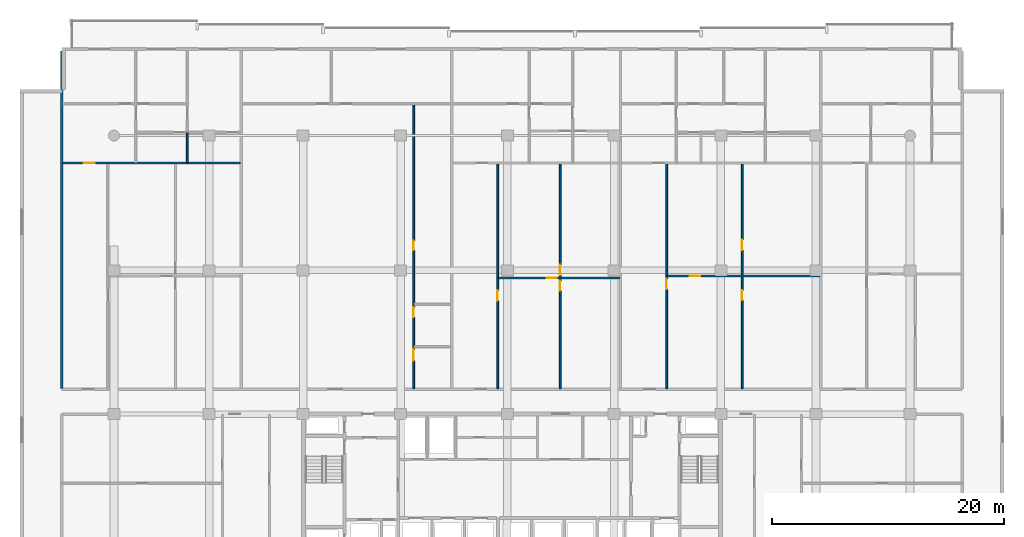
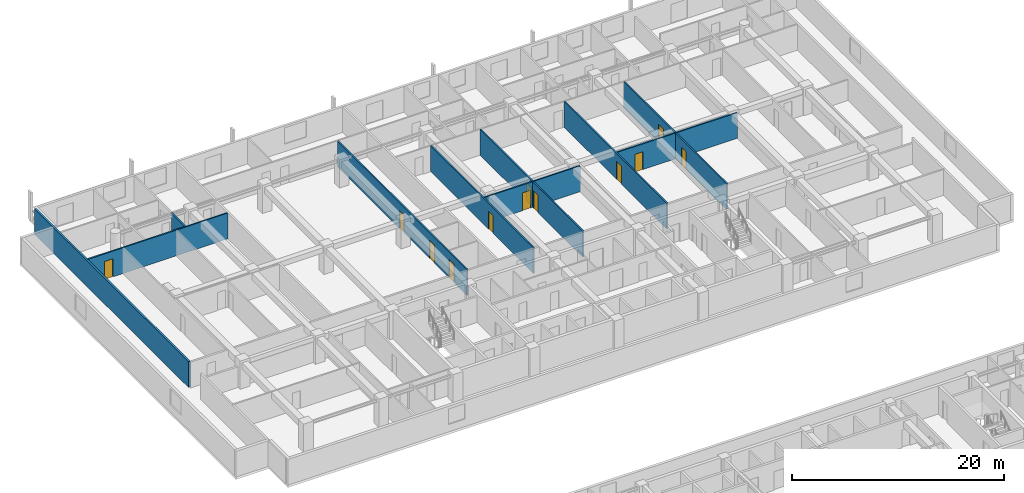
# One storey, part 14 of 24: 12 doors, 10 walls, 12 openings.
"""IFC4 building model written with IfcOpenShell, lengths in metres."""

from ifc_helpers import new_model, si_unit, direction, frame, frame_2d, origin, place, context, subcontext, project, spatial, rectangle, extrude, material, layer, layer_set, type_object, element, fill, save


model = new_model("IFC4")

# Units and contexts
model_context = context("Model", 3, precision=1e-05, world=origin(), true_north=direction((0.0, 1.0)))
body_context = subcontext(model_context, "Body", "Model", "MODEL_VIEW")
ifc_project = project(units=[si_unit("LENGTHUNIT", "METRE"), si_unit("AREAUNIT", "SQUARE_METRE"), si_unit("VOLUMEUNIT", "CUBIC_METRE"), si_unit("PLANEANGLEUNIT", "RADIAN"), si_unit("MASSUNIT", "GRAM", prefix="KILO")], contexts=[model_context])

# Site, building, storey
site_placement = place(None, origin())
site = spatial("IfcSite", under=ifc_project, at=site_placement, CompositionType="ELEMENT")
building_placement = place(site_placement, origin())
building = spatial("IfcBuilding", under=site, at=building_placement, Name="Korimba Cascade Residences", CompositionType="ELEMENT")
storey_placement = place(building_placement, frame((0.0, 0.0, 43.5)))
storey = spatial("IfcBuildingStorey", under=building, at=storey_placement, Name="L11", CompositionType="ELEMENT", Elevation=43.5)

# Walls
ifc_material_1 = material(Name="Precast concrete C40/50", Category="concrete")
ifc_layer_1 = layer(ifc_material_1, 0.199951171875)
ifc_layer_set_1 = layer_set([ifc_layer_1], Name="Precast concrete C40/50")
wall_type_1 = type_object("IfcWallType", Name="WAL-IT-200", PredefinedType="PARTITIONING", material=ifc_layer_set_1)
wall_1_placement = place(storey_placement, frame((55.300048828125, 69.429931640625, 0.0), z_axis=(0.0, 0.0, 1.0), x_axis=(0.0, 1.0, 0.0)))
element("IfcWall", 1, at=wall_1_placement, inside=storey, type_object=wall_type_1, Name="L11 Partition Wall WAL-L11-T1-BNDWL", PredefinedType="PARTITIONING", context=body_context, shape_type="SweptSolid", body=[
    extrude(rectangle(XDim=29.070068359375, YDim=0.199951171875, at=frame_2d((14.53515625, 0.0))), origin(), (0.0, 0.0, 1.0), 2.969970703125),
])
ifc_material_2 = material(Name="Insulated Acoustic Stud Partition", Category="gypsum")
ifc_layer_2 = layer(ifc_material_2, 0.14990234375)
ifc_layer_set_2 = layer_set([ifc_layer_2], Name="Insulated Acoustic Stud Partition")
wall_type_2 = type_object("IfcWallType", Name="WAL-PART-150", PredefinedType="PARTITIONING", material=ifc_layer_set_2)
wall_2_placement = place(storey_placement, frame((66.1201171875, 88.889892578125, 0.0), z_axis=(0.0, 0.0, 1.0), x_axis=(0.0, 1.0, 0.0)))
element("IfcWall", 2, at=wall_2_placement, inside=storey, type_object=wall_type_2, Name="L11 Partition Wall WAL-L11-T1-U01-VBATH", PredefinedType="PARTITIONING", context=body_context, shape_type="SweptSolid", body=[
    extrude(rectangle(XDim=2.580078125, YDim=0.14990234375, at=frame_2d((1.2900390625, 0.0))), origin(), (0.0, 0.0, 1.0), 2.969970703125),
])

# Wall, opening, door
wall_3_placement = place(storey_placement, frame((55.3798828125, 88.85009765625, 0.0), z_axis=(0.0, 0.0, 1.0), x_axis=(1.0, 0.0, 0.0)))
wall_3 = element("IfcWall", 3, at=wall_3_placement, inside=storey, type_object=wall_type_2, Name="L11 Partition Wall WAL-L11-T1-U01-MW", PredefinedType="PARTITIONING", context=body_context, shape_type="SweptSolid", body=[
    extrude(rectangle(XDim=15.29541015625, YDim=0.14990234375, at=frame_2d((7.647705078125, 0.0))), origin(), (0.0, 0.0, 1.0), 2.969970703125),
])
opening_1_placement = place(wall_3_placement, frame((1.830810546875, 0.0, 0.0)))
opening_1 = element("IfcOpeningElement", 4, at=opening_1_placement, cuts=wall_3, Name="Opening D-IN1", PredefinedType="OPENING", context=body_context, shape_type="SweptSolid", body=[
    extrude(rectangle(XDim=0.919921875, YDim=2.080078125, at=frame_2d((0.4599609375, 1.0400390625))), frame((0.0, 0.0849609375, 0.0), z_axis=(0.0, -1.0, 0.0), x_axis=(1.0, 0.0, 0.0)), (0.0, 0.0, 1.0), 0.169921875),
])
ifc_material_3 = material(Name="Acoustic Timber Living Door", Category="wood")
door_type_1 = type_object("IfcDoorType", Name="DR-INT-920", OperationType="NOTDEFINED", PredefinedType="DOOR", material=ifc_material_3)
door_1_placement = place(opening_1_placement, origin())
door_1 = element("IfcDoor", 5, at=door_1_placement, inside=storey, type_object=door_type_1, Name="L11-T1-U01 Kitchen Door", OperationType="SINGLE_SWING_LEFT", OverallHeight=2.080078125, OverallWidth=0.919921875, PredefinedType="DOOR", context=body_context, shape_type="SweptSolid", body=[
    extrude(rectangle(XDim=0.919921875, YDim=2.080078125, at=frame_2d((0.4599609375, 1.0400390625))), frame((0.0, 0.02490234375, 0.0), z_axis=(0.0, -1.0, 0.0), x_axis=(1.0, 0.0, 0.0)), (0.0, 0.0, 1.0), 0.050048828125),
])
fill(opening_1, door_1)

# Wall, openings, doors
wall_4_placement = place(storey_placement, frame((85.624267578125, 69.409912109375, 0.0), z_axis=(0.0, 0.0, 1.0), x_axis=(0.0, 1.0, 0.0)))
wall_4 = element("IfcWall", 6, at=wall_4_placement, inside=storey, type_object=wall_type_2, Name="L11 Partition Wall WAL-L11-T1-U02-WCV", PredefinedType="PARTITIONING", context=body_context, shape_type="SweptSolid", body=[
    extrude(rectangle(XDim=24.47998046875, YDim=0.14990234375, at=frame_2d((12.239990234375, 0.0))), origin(), (0.0, 0.0, 1.0), 2.969970703125),
])
opening_2_placement = place(wall_4_placement, frame((2.406005859375, 0.0, 0.0)))
opening_2 = element("IfcOpeningElement", 7, at=opening_2_placement, cuts=wall_4, Name="Opening D-AC1", PredefinedType="OPENING", context=body_context, shape_type="SweptSolid", body=[
    extrude(rectangle(XDim=0.9599609375, YDim=2.10009765625, at=frame_2d((0.47998046875, 1.050048828125))), frame((0.0, 0.0849609375, 0.0), z_axis=(0.0, -1.0, 0.0), x_axis=(1.0, 0.0, 0.0)), (0.0, 0.0, 1.0), 0.169921875),
])
opening_3_placement = place(wall_4_placement, frame((6.132568359375, 0.0, 0.0)))
opening_3 = element("IfcOpeningElement", 8, at=opening_3_placement, cuts=wall_4, Name="Opening D-IN2", PredefinedType="OPENING", context=body_context, shape_type="SweptSolid", body=[
    extrude(rectangle(XDim=0.8798828125, YDim=2.06005859375, at=frame_2d((0.43994140625, 1.030029296875))), frame((0.0, 0.0849609375, 0.0), z_axis=(0.0, -1.0, 0.0), x_axis=(1.0, 0.0, 0.0)), (0.0, 0.0, 1.0), 0.169921875),
])
opening_4_placement = place(wall_4_placement, frame((11.91748046875, 0.0, 0.0)))
opening_4 = element("IfcOpeningElement", 9, at=opening_4_placement, cuts=wall_4, Name="Opening D-BT1", PredefinedType="OPENING", context=body_context, shape_type="SweptSolid", body=[
    extrude(rectangle(XDim=0.840087890625, YDim=2.0400390625, at=frame_2d((0.419921875, 1.02001953125))), frame((0.0, 0.0849609375, 0.0), z_axis=(0.0, -1.0, 0.0), x_axis=(1.0, 0.0, 0.0)), (0.0, 0.0, 1.0), 0.169921875),
])
ifc_material_4 = material(Name="Accessible Acoustic Timber WC Door", Category="wood")
door_type_2 = type_object("IfcDoorType", Name="DR-ACC-950", OperationType="NOTDEFINED", PredefinedType="DOOR", material=ifc_material_4)
door_2_placement = place(opening_2_placement, origin())
door_2 = element("IfcDoor", 10, at=door_2_placement, inside=storey, type_object=door_type_2, Name="L11-T1-U02 Accessible WC Door", OperationType="SINGLE_SWING_RIGHT", OverallHeight=2.10009765625, OverallWidth=0.9599609375, PredefinedType="DOOR", context=body_context, shape_type="SweptSolid", body=[
    extrude(rectangle(XDim=0.9599609375, YDim=2.10009765625, at=frame_2d((0.47998046875, 1.050048828125))), frame((0.0, 0.02490234375, 0.0), z_axis=(0.0, -1.0, 0.0), x_axis=(1.0, 0.0, 0.0)), (0.0, 0.0, 1.0), 0.050048828125),
])
fill(opening_2, door_2)
ifc_material_5 = material(Name="Moisture-Resistant Bathroom Timber Door", Category="wood")
door_type_3 = type_object("IfcDoorType", Name="DR-INT-850", OperationType="NOTDEFINED", PredefinedType="DOOR", material=ifc_material_5)
door_3_placement = place(opening_4_placement, origin())
door_3 = element("IfcDoor", 11, at=door_3_placement, inside=storey, type_object=door_type_3, Name="L11-T1-U02 Suite Store Door", OperationType="SINGLE_SWING_RIGHT", OverallHeight=2.0400390625, OverallWidth=0.840087890625, PredefinedType="DOOR", context=body_context, shape_type="SweptSolid", body=[
    extrude(rectangle(XDim=0.840087890625, YDim=2.0400390625, at=frame_2d((0.419921875, 1.02001953125))), frame((0.0, 0.02490234375, 0.0), z_axis=(0.0, -1.0, 0.0), x_axis=(1.0, 0.0, 0.0)), (0.0, 0.0, 1.0), 0.050048828125),
])
fill(opening_4, door_3)
ifc_material_6 = material(Name="Acoustic Timber Bedroom Door", Category="wood")
door_type_4 = type_object("IfcDoorType", Name="DR-INT-880", OperationType="NOTDEFINED", PredefinedType="DOOR", material=ifc_material_6)
door_4_placement = place(opening_3_placement, origin())
door_4 = element("IfcDoor", 12, at=door_4_placement, inside=storey, type_object=door_type_4, Name="L11-T1-U02 Restroom WC Door", OperationType="SINGLE_SWING_LEFT", OverallHeight=2.06005859375, OverallWidth=0.8798828125, PredefinedType="DOOR", context=body_context, shape_type="SweptSolid", body=[
    extrude(rectangle(XDim=0.8798828125, YDim=2.06005859375, at=frame_2d((0.43994140625, 1.030029296875))), frame((0.0, 0.02490234375, 0.0), z_axis=(0.0, -1.0, 0.0), x_axis=(1.0, 0.0, 0.0)), (0.0, 0.0, 1.0), 0.050048828125),
])
fill(opening_3, door_4)

wall_5_placement = place(storey_placement, frame((98.2509765625, 69.409912109375, 0.0), z_axis=(0.0, 0.0, 1.0), x_axis=(0.0, 1.0, 0.0)))
wall_5 = element("IfcWall", 13, at=wall_5_placement, inside=storey, type_object=wall_type_2, Name="L11 Partition Wall WAL-L11-T1-U03-FMV", PredefinedType="PARTITIONING", context=body_context, shape_type="SweptSolid", body=[
    extrude(rectangle(XDim=19.400146484375, YDim=0.14990234375, at=frame_2d((9.7001953125, 0.0))), origin(), (0.0, 0.0, 1.0), 2.969970703125),
])
opening_5_placement = place(wall_5_placement, frame((8.429931640625, 0.0, 0.0)))
opening_5 = element("IfcOpeningElement", 14, at=opening_5_placement, cuts=wall_5, Name="Opening D-BT1", PredefinedType="OPENING", context=body_context, shape_type="SweptSolid", body=[
    extrude(rectangle(XDim=0.840087890625, YDim=2.0400390625, at=frame_2d((0.419921875, 1.02001953125))), frame((0.0, 0.0849609375, 0.0), z_axis=(0.0, -1.0, 0.0), x_axis=(1.0, 0.0, 0.0)), (0.0, 0.0, 1.0), 0.169921875),
])
opening_6_placement = place(wall_5_placement, frame((9.77001953125, 0.0, 0.0)))
opening_6 = element("IfcOpeningElement", 15, at=opening_6_placement, cuts=wall_5, Name="Opening D-IN2", PredefinedType="OPENING", context=body_context, shape_type="SweptSolid", body=[
    extrude(rectangle(XDim=0.8798828125, YDim=2.06005859375, at=frame_2d((0.43994140625, 1.030029296875))), frame((0.0, 0.0849609375, 0.0), z_axis=(0.0, -1.0, 0.0), x_axis=(1.0, 0.0, 0.0)), (0.0, 0.0, 1.0), 0.169921875),
])
door_5_placement = place(opening_5_placement, origin())
door_5 = element("IfcDoor", 16, at=door_5_placement, inside=storey, type_object=door_type_3, Name="L11-T1-U03 Wardrobe Door", OperationType="SINGLE_SWING_LEFT", OverallHeight=2.0400390625, OverallWidth=0.840087890625, PredefinedType="DOOR", context=body_context, shape_type="SweptSolid", body=[
    extrude(rectangle(XDim=0.840087890625, YDim=2.0400390625, at=frame_2d((0.419921875, 1.02001953125))), frame((0.0, 0.02490234375, 0.0), z_axis=(0.0, -1.0, 0.0), x_axis=(1.0, 0.0, 0.0)), (0.0, 0.0, 1.0), 0.050048828125),
])
fill(opening_5, door_5)
door_6_placement = place(opening_6_placement, origin())
door_6 = element("IfcDoor", 17, at=door_6_placement, inside=storey, type_object=door_type_4, Name="L11-T1-U03 Music Lounge Door", OperationType="SINGLE_SWING_RIGHT", OverallHeight=2.06005859375, OverallWidth=0.8798828125, PredefinedType="DOOR", context=body_context, shape_type="SweptSolid", body=[
    extrude(rectangle(XDim=0.8798828125, YDim=2.06005859375, at=frame_2d((0.43994140625, 1.030029296875))), frame((0.0, 0.02490234375, 0.0), z_axis=(0.0, -1.0, 0.0), x_axis=(1.0, 0.0, 0.0)), (0.0, 0.0, 1.0), 0.050048828125),
])
fill(opening_6, door_6)

# Wall, opening, door
wall_6_placement = place(storey_placement, frame((92.92431640625, 78.929931640625, 0.0), z_axis=(0.0, 0.0, 1.0), x_axis=(1.0, 0.0, 0.0)))
wall_6 = element("IfcWall", 18, at=wall_6_placement, inside=storey, type_object=wall_type_2, Name="L11 Partition Wall WAL-L11-T1-U03-FMH", PredefinedType="PARTITIONING", context=body_context, shape_type="SweptSolid", body=[
    extrude(rectangle(XDim=10.453125, YDim=0.14990234375, at=frame_2d((5.2265625, 0.0))), origin(), (0.0, 0.0, 1.0), 2.969970703125),
])
opening_7_placement = place(wall_6_placement, frame((4.149169921875, 0.0, 0.0)))
opening_7 = element("IfcOpeningElement", 19, at=opening_7_placement, cuts=wall_6, Name="Opening D-IN2", PredefinedType="OPENING", context=body_context, shape_type="SweptSolid", body=[
    extrude(rectangle(XDim=0.8798828125, YDim=2.06005859375, at=frame_2d((0.43994140625, 1.030029296875))), frame((0.0, 0.0849609375, 0.0), z_axis=(0.0, -1.0, 0.0), x_axis=(1.0, 0.0, 0.0)), (0.0, 0.0, 1.0), 0.169921875),
])
door_7_placement = place(opening_7_placement, origin())
door_7 = element("IfcDoor", 20, at=door_7_placement, inside=storey, type_object=door_type_4, Name="L11-T1-U03 Library Salon Door", OperationType="SINGLE_SWING_LEFT", OverallHeight=2.06005859375, OverallWidth=0.8798828125, PredefinedType="DOOR", context=body_context, shape_type="SweptSolid", body=[
    extrude(rectangle(XDim=0.8798828125, YDim=2.06005859375, at=frame_2d((0.43994140625, 1.030029296875))), frame((0.0, 0.02490234375, 0.0), z_axis=(0.0, -1.0, 0.0), x_axis=(1.0, 0.0, 0.0)), (0.0, 0.0, 1.0), 0.050048828125),
])
fill(opening_7, door_7)

wall_7_placement = place(storey_placement, frame((92.8642578125, 69.409912109375, 0.0), z_axis=(0.0, 0.0, 1.0), x_axis=(0.0, 1.0, 0.0)))
wall_7 = element("IfcWall", 21, at=wall_7_placement, inside=storey, type_object=wall_type_2, Name="L11 Partition Wall WAL-L11-T1-U03-FV", PredefinedType="PARTITIONING", context=body_context, shape_type="SweptSolid", body=[
    extrude(rectangle(XDim=19.400146484375, YDim=0.14990234375, at=frame_2d((9.7001953125, 0.0))), origin(), (0.0, 0.0, 1.0), 2.969970703125),
])
opening_8_placement = place(wall_7_placement, frame((7.5859375, 0.0, 0.0)))
opening_8 = element("IfcOpeningElement", 22, at=opening_8_placement, cuts=wall_7, Name="Opening D-IN2", PredefinedType="OPENING", context=body_context, shape_type="SweptSolid", body=[
    extrude(rectangle(XDim=0.8798828125, YDim=2.06005859375, at=frame_2d((0.43994140625, 1.030029296875))), frame((0.0, 0.0849609375, 0.0), z_axis=(0.0, -1.0, 0.0), x_axis=(1.0, 0.0, 0.0)), (0.0, 0.0, 1.0), 0.169921875),
])
door_8_placement = place(opening_8_placement, origin())
door_8 = element("IfcDoor", 23, at=door_8_placement, inside=storey, type_object=door_type_4, Name="L11-T1-U03 Media Lounge Door", OperationType="SINGLE_SWING_RIGHT", OverallHeight=2.06005859375, OverallWidth=0.8798828125, PredefinedType="DOOR", context=body_context, shape_type="SweptSolid", body=[
    extrude(rectangle(XDim=0.8798828125, YDim=2.06005859375, at=frame_2d((0.43994140625, 1.030029296875))), frame((0.0, 0.02490234375, 0.0), z_axis=(0.0, -1.0, 0.0), x_axis=(1.0, 0.0, 0.0)), (0.0, 0.0, 1.0), 0.050048828125),
])
fill(opening_8, door_8)

# Wall, openings, doors
wall_8_placement = place(storey_placement, frame((113.93603515625, 69.409912109375, 0.0), z_axis=(0.0, 0.0, 1.0), x_axis=(0.0, 1.0, 0.0)))
wall_8 = element("IfcWall", 24, at=wall_8_placement, inside=storey, type_object=wall_type_2, Name="L11 Partition Wall WAL-L11-T1-U04-FMV", PredefinedType="PARTITIONING", context=body_context, shape_type="SweptSolid", body=[
    extrude(rectangle(XDim=19.400146484375, YDim=0.14990234375, at=frame_2d((9.7001953125, 0.0))), origin(), (0.0, 0.0, 1.0), 2.969970703125),
])
opening_9_placement = place(wall_8_placement, frame((7.618896484375, 0.0, 0.0)))
opening_9 = element("IfcOpeningElement", 25, at=opening_9_placement, cuts=wall_8, Name="Opening D-BT1", PredefinedType="OPENING", context=body_context, shape_type="SweptSolid", body=[
    extrude(rectangle(XDim=0.840087890625, YDim=2.0400390625, at=frame_2d((0.419921875, 1.02001953125))), frame((0.0, 0.0849609375, 0.0), z_axis=(0.0, -1.0, 0.0), x_axis=(1.0, 0.0, 0.0)), (0.0, 0.0, 1.0), 0.169921875),
])
opening_10_placement = place(wall_8_placement, frame((11.9228515625, 0.0, 0.0)))
opening_10 = element("IfcOpeningElement", 26, at=opening_10_placement, cuts=wall_8, Name="Opening D-IN2", PredefinedType="OPENING", context=body_context, shape_type="SweptSolid", body=[
    extrude(rectangle(XDim=0.8798828125, YDim=2.06005859375, at=frame_2d((0.43994140625, 1.030029296875))), frame((0.0, 0.0849609375, 0.0), z_axis=(0.0, -1.0, 0.0), x_axis=(1.0, 0.0, 0.0)), (0.0, 0.0, 1.0), 0.169921875),
])
door_9_placement = place(opening_9_placement, origin())
door_9 = element("IfcDoor", 27, at=door_9_placement, inside=storey, type_object=door_type_3, Name="L11-T1-U04 Wardrobe Door", OperationType="SINGLE_SWING_RIGHT", OverallHeight=2.0400390625, OverallWidth=0.840087890625, PredefinedType="DOOR", context=body_context, shape_type="SweptSolid", body=[
    extrude(rectangle(XDim=0.840087890625, YDim=2.0400390625, at=frame_2d((0.419921875, 1.02001953125))), frame((0.0, 0.02490234375, 0.0), z_axis=(0.0, -1.0, 0.0), x_axis=(1.0, 0.0, 0.0)), (0.0, 0.0, 1.0), 0.050048828125),
])
fill(opening_9, door_9)
door_10_placement = place(opening_10_placement, origin())
door_10 = element("IfcDoor", 28, at=door_10_placement, inside=storey, type_object=door_type_4, Name="L11-T1-U04 Music Lounge Door", OperationType="SINGLE_SWING_LEFT", OverallHeight=2.06005859375, OverallWidth=0.8798828125, PredefinedType="DOOR", context=body_context, shape_type="SweptSolid", body=[
    extrude(rectangle(XDim=0.8798828125, YDim=2.06005859375, at=frame_2d((0.43994140625, 1.030029296875))), frame((0.0, 0.02490234375, 0.0), z_axis=(0.0, -1.0, 0.0), x_axis=(1.0, 0.0, 0.0)), (0.0, 0.0, 1.0), 0.050048828125),
])
fill(opening_10, door_10)

# Wall, opening, door
wall_9_placement = place(storey_placement, frame((107.487548828125, 79.110107421875, 0.0), z_axis=(0.0, 0.0, 1.0), x_axis=(1.0, 0.0, 0.0)))
wall_9 = element("IfcWall", 29, at=wall_9_placement, inside=storey, type_object=wall_type_2, Name="L11 Partition Wall WAL-L11-T1-U04-FMH", PredefinedType="PARTITIONING", context=body_context, shape_type="SweptSolid", body=[
    extrude(rectangle(XDim=13.136962890625, YDim=0.14990234375, at=frame_2d((6.568359375, 0.0))), origin(), (0.0, 0.0, 1.0), 2.969970703125),
])
opening_11_placement = place(wall_9_placement, frame((1.949462890625, 0.0, 0.0)))
opening_11 = element("IfcOpeningElement", 30, at=opening_11_placement, cuts=wall_9, Name="Opening D-IN2", PredefinedType="OPENING", context=body_context, shape_type="SweptSolid", body=[
    extrude(rectangle(XDim=0.8798828125, YDim=2.06005859375, at=frame_2d((0.43994140625, 1.030029296875))), frame((0.0, 0.0849609375, 0.0), z_axis=(0.0, -1.0, 0.0), x_axis=(1.0, 0.0, 0.0)), (0.0, 0.0, 1.0), 0.169921875),
])
door_11_placement = place(opening_11_placement, origin())
door_11 = element("IfcDoor", 31, at=door_11_placement, inside=storey, type_object=door_type_4, Name="L11-T1-U04 Library Salon Door", OperationType="SINGLE_SWING_RIGHT", OverallHeight=2.06005859375, OverallWidth=0.8798828125, PredefinedType="DOOR", context=body_context, shape_type="SweptSolid", body=[
    extrude(rectangle(XDim=0.8798828125, YDim=2.06005859375, at=frame_2d((0.43994140625, 1.030029296875))), frame((0.0, 0.02490234375, 0.0), z_axis=(0.0, -1.0, 0.0), x_axis=(1.0, 0.0, 0.0)), (0.0, 0.0, 1.0), 0.050048828125),
])
fill(opening_11, door_11)

wall_10_placement = place(storey_placement, frame((107.427490234375, 69.409912109375, 0.0), z_axis=(0.0, 0.0, 1.0), x_axis=(0.0, 1.0, 0.0)))
wall_10 = element("IfcWall", 32, at=wall_10_placement, inside=storey, type_object=wall_type_2, Name="L11 Partition Wall WAL-L11-T1-U04-FV", PredefinedType="PARTITIONING", context=body_context, shape_type="SweptSolid", body=[
    extrude(rectangle(XDim=19.400146484375, YDim=0.14990234375, at=frame_2d((9.7001953125, 0.0))), origin(), (0.0, 0.0, 1.0), 2.969970703125),
])
opening_12_placement = place(wall_10_placement, frame((8.570068359375, 0.0, 0.0)))
opening_12 = element("IfcOpeningElement", 33, at=opening_12_placement, cuts=wall_10, Name="Opening D-IN2", PredefinedType="OPENING", context=body_context, shape_type="SweptSolid", body=[
    extrude(rectangle(XDim=0.8798828125, YDim=2.06005859375, at=frame_2d((0.43994140625, 1.030029296875))), frame((0.0, 0.0849609375, 0.0), z_axis=(0.0, -1.0, 0.0), x_axis=(1.0, 0.0, 0.0)), (0.0, 0.0, 1.0), 0.169921875),
])
door_12_placement = place(opening_12_placement, origin())
door_12 = element("IfcDoor", 34, at=door_12_placement, inside=storey, type_object=door_type_4, Name="L11-T1-U04 Media Lounge Door", OperationType="SINGLE_SWING_LEFT", OverallHeight=2.06005859375, OverallWidth=0.8798828125, PredefinedType="DOOR", context=body_context, shape_type="SweptSolid", body=[
    extrude(rectangle(XDim=0.8798828125, YDim=2.06005859375, at=frame_2d((0.43994140625, 1.030029296875))), frame((0.0, 0.02490234375, 0.0), z_axis=(0.0, -1.0, 0.0), x_axis=(1.0, 0.0, 0.0)), (0.0, 0.0, 1.0), 0.050048828125),
])
fill(opening_12, door_12)

save(model, "model.ifc")
